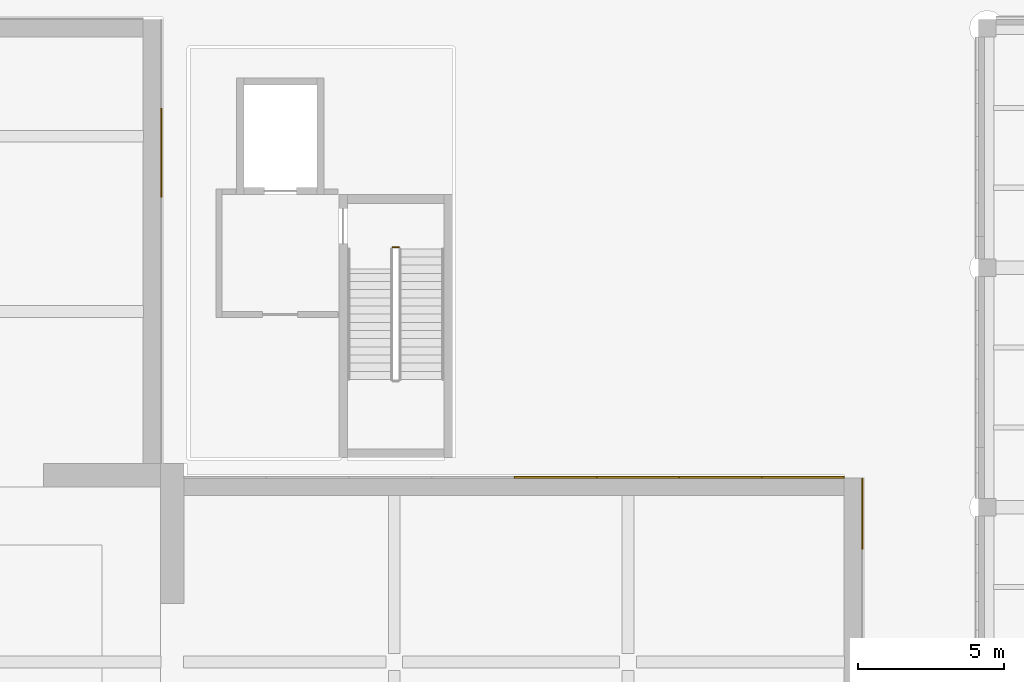
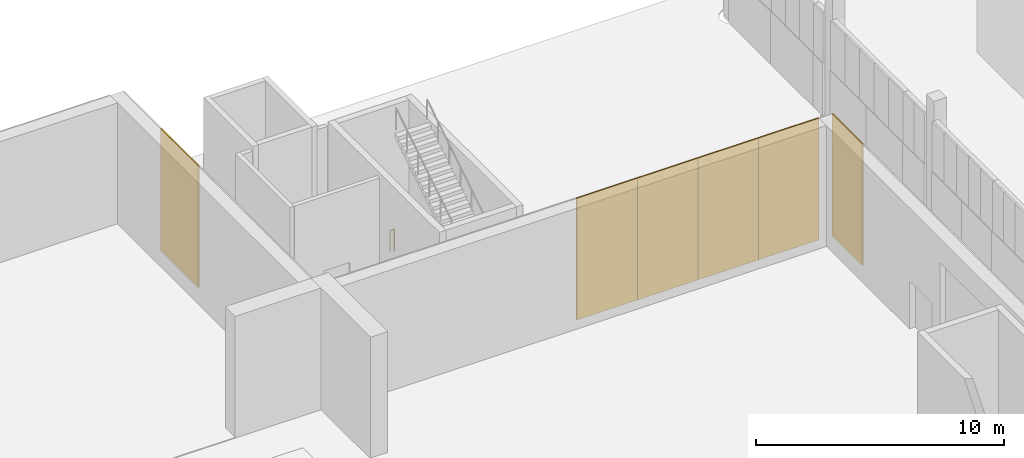
# One storey, part 139 of 155: 6 coverings, 1 railing.
"""IFC4 building model written with IfcOpenShell, lengths in metres."""

from ifc_helpers import new_model, si_unit, direction, frame, origin, origin_2d, place, context, subcontext, project, spatial, rectangle, circle, extrude, material, layer, layer_set, type_object, element, save


model = new_model("IFC4")

# Units and contexts
model_context = context("Model", 3, precision=1e-05, world=origin(), true_north=direction((0.0, 1.0)))
body_context = subcontext(model_context, "Body", "Model", "MODEL_VIEW")
ifc_project = project(units=[si_unit("LENGTHUNIT", "METRE"), si_unit("AREAUNIT", "SQUARE_METRE"), si_unit("VOLUMEUNIT", "CUBIC_METRE"), si_unit("PLANEANGLEUNIT", "RADIAN"), si_unit("MASSUNIT", "GRAM", prefix="KILO")], contexts=[model_context])

# Site, building, storey
site_placement = place(None, origin())
site = spatial("IfcSite", under=ifc_project, at=site_placement, CompositionType="ELEMENT")
building_placement = place(site_placement, origin())
building = spatial("IfcBuilding", under=site, at=building_placement, Name="Lunette Opera House", CompositionType="ELEMENT")
storey_placement = place(building_placement, origin())
storey = spatial("IfcBuildingStorey", under=building, at=storey_placement, Name="L00", CompositionType="ELEMENT", Elevation=0.0)

# Railing
ifc_material_1 = material(Name="Steel S355", Category="steel")
railing_type = type_object("IfcRailingType", Name="STAIR GUARD 1100", PredefinedType="GUARDRAIL", material=ifc_material_1)
railing_placement = place(storey_placement, frame((115.949951171875, 128.199951171875, 0.0)))
element("IfcRailing", 1, at=railing_placement, inside=storey, type_object=railing_type, Name="L00 ST12 stair guard 4", PredefinedType="GUARDRAIL", context=body_context, shape_type="SweptSolid", body=[
    extrude(circle(Radius=0.02392578125, at=origin_2d()), frame((0.0, 0.0, 1.076171875), z_axis=(1.0, 0.0, 0.0), x_axis=(0.0, 1.0, 0.0)), (0.0, 0.0, 1.0), 0.199951171875),
    extrude(circle(Radius=0.02099609375, at=origin_2d()), origin(), (0.0, 0.0, 1.0), 1.052001953125),
    extrude(circle(Radius=0.02099609375, at=origin_2d()), frame((0.199951171875, 0.0, 0.0)), (0.0, 0.0, 1.0), 1.052001953125),
])

# Coverings
ifc_material_2 = material(Name="Aluminium standing seam cladding", Category="aluminium")
ifc_layer = layer(ifc_material_2, 0.06005859375)
ifc_layer_set = layer_set([ifc_layer], Name="Aluminium standing seam cladding")
covering_type = type_object("IfcCoveringType", Name="STANDING SEAM CLADDING 60", PredefinedType="CLADDING", material=ifc_layer_set)
covering_1_placement = place(storey_placement, frame((132.030029296875, 119.0810546875, 0.0), z_axis=(0.0, 0.0, 1.0), x_axis=(0.0, 1.0, 0.0)))
element("IfcCovering", 2, at=covering_1_placement, inside=storey, type_object=covering_type, Name="Standing seam cladding SE-E-1 L00 23", PredefinedType="CLADDING", context=body_context, shape_type="SweptSolid", body=[
    extrude(rectangle(XDim=2.43798828125, YDim=0.06005859375, at=origin_2d()), origin(), (0.0, 0.0, 1.0), 6.0),
])
for number, where, z_axis, x_axis, name in (
    (3, (121.512939453125, 120.330078125, 0.0), (0.0, 0.0, 1.0), (1.0, 0.0, 0.0), "Standing seam cladding SE-N-1 L00 04"),
    (4, (124.337890625, 120.330078125, 0.0), (0.0, 0.0, 1.0), (1.0, 0.0, 0.0), "Standing seam cladding SE-N-1 L00 05"),
    (5, (127.162109375, 120.330078125, 0.0), (0.0, 0.0, 1.0), (1.0, 0.0, 0.0), "Standing seam cladding SE-N-1 L00 06"),
    (6, (129.988037109375, 120.330078125, 0.0), (0.0, 0.0, 1.0), (1.0, 0.0, 0.0), "Standing seam cladding SE-N-1 L00 07"),
):
    element("IfcCovering", number, at=place(storey_placement, frame(where, z_axis=z_axis, x_axis=x_axis)), inside=storey, type_object=covering_type, Name=name, PredefinedType="CLADDING", context=body_context, shape_type="SweptSolid", body=[
        extrude(rectangle(XDim=2.824951171875, YDim=0.06005859375, at=origin_2d()), origin(), (0.0, 0.0, 1.0), 6.0),
    ])
covering_2_placement = place(storey_placement, frame((108.030029296875, 131.43994140625, 0.0), z_axis=(0.0, 0.0, 1.0), x_axis=(0.0, 1.0, 0.0)))
element("IfcCovering", 7, at=covering_2_placement, inside=storey, type_object=covering_type, Name="Standing seam cladding SR-E-1 L00 03", PredefinedType="CLADDING", context=body_context, shape_type="SweptSolid", body=[
    extrude(rectangle(XDim=3.0400390625, YDim=0.06005859375, at=origin_2d()), origin(), (0.0, 0.0, 1.0), 6.0),
])

save(model, "model.ifc")
